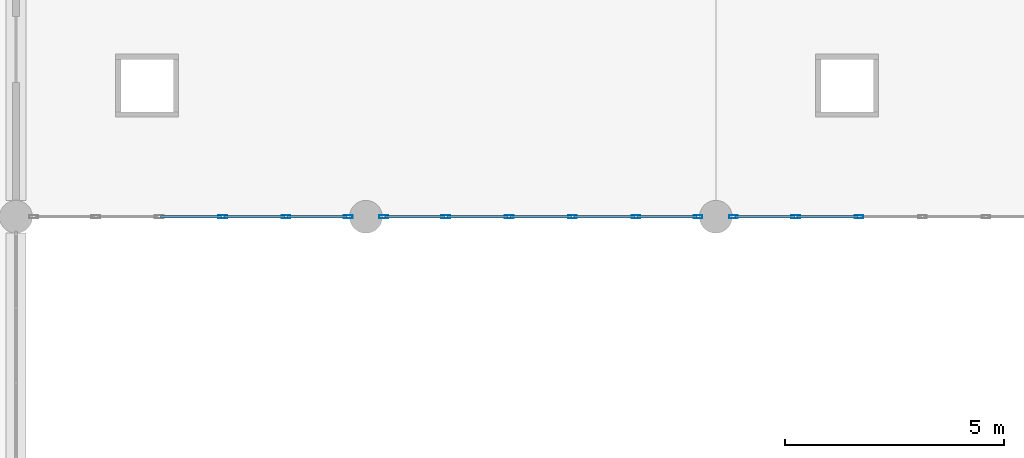
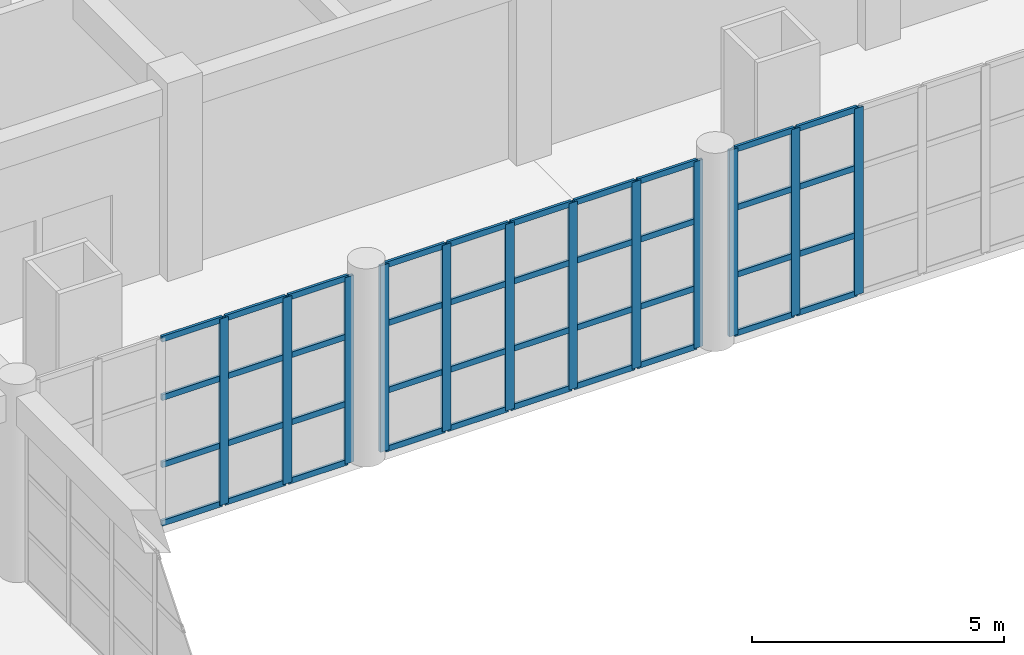
# One storey, part 34 of 101: 52 members, 3 elements without a shape of their own.
"""IFC4 building model written with IfcOpenShell, lengths in metres."""

from ifc_helpers import new_model, si_unit, direction, frame, origin, origin_2d, place, context, subcontext, project, spatial, hollow_rectangle, extrude, material, material_profile, profile_set, type_object, element, aggregate, save


model = new_model("IFC4")

# Units and contexts
model_context = context("Model", 3, precision=1e-05, world=origin(), true_north=direction((0.0, 1.0)))
body_context = subcontext(model_context, "Body", "Model", "MODEL_VIEW")
ifc_project = project(units=[si_unit("LENGTHUNIT", "METRE"), si_unit("AREAUNIT", "SQUARE_METRE"), si_unit("VOLUMEUNIT", "CUBIC_METRE"), si_unit("PLANEANGLEUNIT", "RADIAN"), si_unit("MASSUNIT", "GRAM", prefix="KILO")], contexts=[model_context])

# Site, building, storey
site_placement = place(None, origin())
site = spatial("IfcSite", under=ifc_project, at=site_placement, CompositionType="ELEMENT")
building_placement = place(site_placement, origin())
building = spatial("IfcBuilding", under=site, at=building_placement, Name="Zantavel Square City Hall", CompositionType="ELEMENT")
storey_placement = place(building_placement, frame((0.0, 0.0, 5.39990234375)))
storey = spatial("IfcBuildingStorey", under=building, at=storey_placement, Name="L02", CompositionType="ELEMENT", Elevation=5.39990234375)

# Curtain wall, members
ifc_material = material(Name="Anodised aluminium 6063-T6", Category="aluminium")
curtain_wall_type = type_object("IfcCurtainWallType", Name="Curtain Wall CRT 7250x4520", PredefinedType="USERDEFINED", material=ifc_material)
curtain_wall_1_placement = place(storey_placement, origin())
curtain_wall_1 = element("IfcCurtainWall", 1, at=curtain_wall_1_placement, inside=storey, type_object=curtain_wall_type, Name="L02 Glazed Curtain Wall CW-L02-067", ObjectType="GLAZED CURTAIN WALL", PredefinedType="USERDEFINED")
ifc_material_profile_1 = material_profile(ifc_material, hollow_rectangle(XDim=0.070068359375, YDim=0.199951171875, WallThickness=0.00439453125, at=origin_2d()), Name="ALU 70x200x4.5")
ifc_profile_set_1 = profile_set([ifc_material_profile_1], Name="Anodised aluminium 6063-T6")
member_type_1 = type_object("IfcMemberType", Name="CW Heavy Hall Mullion ALU 70x200x4.5", PredefinedType="MULLION", material=ifc_profile_set_1)
member_1_placement = place(storey_placement, frame((31.594970703125, 68.39990234375, 0.0), z_axis=(0.0, 0.0, 1.0), x_axis=(0.0, -1.0, 0.0)))
member_1 = element("IfcMember", 2, at=member_1_placement, type_object=member_type_1, Name="CW-067 mullion 1", PredefinedType="MULLION", context=body_context, shape_type="SweptSolid", body=[
    extrude(hollow_rectangle(XDim=0.070068359375, YDim=0.199951171875, WallThickness=0.00439453125, at=origin_2d()), origin(), (0.0, 0.0, 1.0), 4.52001953125),
])
member_2_placement = place(storey_placement, frame((30.175048828125, 68.39990234375, 0.0), z_axis=(0.0, 0.0, 1.0), x_axis=(0.0, -1.0, 0.0)))
member_2 = element("IfcMember", 3, at=member_2_placement, type_object=member_type_1, Name="CW-067 mullion 2", PredefinedType="MULLION", context=body_context, shape_type="SweptSolid", body=[
    extrude(hollow_rectangle(XDim=0.070068359375, YDim=0.199951171875, WallThickness=0.00439453125, at=origin_2d()), origin(), (0.0, 0.0, 1.0), 4.52001953125),
])
member_3_placement = place(storey_placement, frame((28.72509765625, 68.39990234375, 0.0), z_axis=(0.0, 0.0, 1.0), x_axis=(0.0, -1.0, 0.0)))
member_3 = element("IfcMember", 4, at=member_3_placement, type_object=member_type_1, Name="CW-067 mullion 3", PredefinedType="MULLION", context=body_context, shape_type="SweptSolid", body=[
    extrude(hollow_rectangle(XDim=0.070068359375, YDim=0.199951171875, WallThickness=0.00439453125, at=origin_2d()), origin(), (0.0, 0.0, 1.0), 4.52001953125),
])
member_4_placement = place(storey_placement, frame((27.27490234375, 68.39990234375, 0.0), z_axis=(0.0, 0.0, 1.0), x_axis=(0.0, -1.0, 0.0)))
member_4 = element("IfcMember", 5, at=member_4_placement, type_object=member_type_1, Name="CW-067 mullion 4", PredefinedType="MULLION", context=body_context, shape_type="SweptSolid", body=[
    extrude(hollow_rectangle(XDim=0.070068359375, YDim=0.199951171875, WallThickness=0.00439453125, at=origin_2d()), origin(), (0.0, 0.0, 1.0), 4.52001953125),
])
member_5_placement = place(storey_placement, frame((25.824951171875, 68.39990234375, 0.0), z_axis=(0.0, 0.0, 1.0), x_axis=(0.0, -1.0, 0.0)))
member_5 = element("IfcMember", 6, at=member_5_placement, type_object=member_type_1, Name="CW-067 mullion 5", PredefinedType="MULLION", context=body_context, shape_type="SweptSolid", body=[
    extrude(hollow_rectangle(XDim=0.070068359375, YDim=0.199951171875, WallThickness=0.00439453125, at=origin_2d()), origin(), (0.0, 0.0, 1.0), 4.52001953125),
])
member_6_placement = place(storey_placement, frame((24.405029296875, 68.39990234375, 0.0), z_axis=(0.0, 0.0, 1.0), x_axis=(0.0, -1.0, 0.0)))
member_6 = element("IfcMember", 7, at=member_6_placement, type_object=member_type_1, Name="CW-067 mullion 6", PredefinedType="MULLION", context=body_context, shape_type="SweptSolid", body=[
    extrude(hollow_rectangle(XDim=0.070068359375, YDim=0.199951171875, WallThickness=0.00439453125, at=origin_2d()), origin(), (0.0, 0.0, 1.0), 4.52001953125),
])

curtain_wall_2_placement = place(storey_placement, origin())
curtain_wall_2 = element("IfcCurtainWall", 8, at=curtain_wall_2_placement, inside=storey, type_object=curtain_wall_type, Name="L02 Glazed Curtain Wall CW-L02-068", ObjectType="GLAZED CURTAIN WALL", PredefinedType="USERDEFINED")
member_7_placement = place(storey_placement, frame((23.594970703125, 68.39990234375, 0.0), z_axis=(0.0, 0.0, 1.0), x_axis=(0.0, -1.0, 0.0)))
member_7 = element("IfcMember", 9, at=member_7_placement, type_object=member_type_1, Name="CW-068 mullion 1", PredefinedType="MULLION", context=body_context, shape_type="SweptSolid", body=[
    extrude(hollow_rectangle(XDim=0.070068359375, YDim=0.199951171875, WallThickness=0.00439453125, at=origin_2d()), origin(), (0.0, 0.0, 1.0), 4.52001953125),
])
member_8_placement = place(storey_placement, frame((22.175048828125, 68.39990234375, 0.0), z_axis=(0.0, 0.0, 1.0), x_axis=(0.0, -1.0, 0.0)))
member_8 = element("IfcMember", 10, at=member_8_placement, type_object=member_type_1, Name="CW-068 mullion 2", PredefinedType="MULLION", context=body_context, shape_type="SweptSolid", body=[
    extrude(hollow_rectangle(XDim=0.070068359375, YDim=0.199951171875, WallThickness=0.00439453125, at=origin_2d()), origin(), (0.0, 0.0, 1.0), 4.52001953125),
])
member_9_placement = place(storey_placement, frame((20.72509765625, 68.39990234375, 0.0), z_axis=(0.0, 0.0, 1.0), x_axis=(0.0, -1.0, 0.0)))
member_9 = element("IfcMember", 11, at=member_9_placement, type_object=member_type_1, Name="CW-068 mullion 3", PredefinedType="MULLION", context=body_context, shape_type="SweptSolid", body=[
    extrude(hollow_rectangle(XDim=0.070068359375, YDim=0.199951171875, WallThickness=0.00439453125, at=origin_2d()), origin(), (0.0, 0.0, 1.0), 4.52001953125),
])

curtain_wall_3_placement = place(storey_placement, origin())
curtain_wall_3 = element("IfcCurtainWall", 12, at=curtain_wall_3_placement, inside=storey, type_object=curtain_wall_type, Name="L02 Glazed Curtain Wall CW-L02-082", ObjectType="GLAZED CURTAIN WALL", PredefinedType="USERDEFINED")
member_10_placement = place(storey_placement, frame((35.27490234375, 68.39990234375, 0.0), z_axis=(0.0, 0.0, 1.0), x_axis=(0.0, -1.0, 0.0)))
member_10 = element("IfcMember", 13, at=member_10_placement, type_object=member_type_1, Name="CW-082 mullion 4", PredefinedType="MULLION", context=body_context, shape_type="SweptSolid", body=[
    extrude(hollow_rectangle(XDim=0.070068359375, YDim=0.199951171875, WallThickness=0.00439453125, at=origin_2d()), origin(), (0.0, 0.0, 1.0), 4.52001953125),
])
member_11_placement = place(storey_placement, frame((33.824951171875, 68.39990234375, 0.0), z_axis=(0.0, 0.0, 1.0), x_axis=(0.0, -1.0, 0.0)))
member_11 = element("IfcMember", 14, at=member_11_placement, type_object=member_type_1, Name="CW-082 mullion 5", PredefinedType="MULLION", context=body_context, shape_type="SweptSolid", body=[
    extrude(hollow_rectangle(XDim=0.070068359375, YDim=0.199951171875, WallThickness=0.00439453125, at=origin_2d()), origin(), (0.0, 0.0, 1.0), 4.52001953125),
])
member_12_placement = place(storey_placement, frame((32.405029296875, 68.39990234375, 0.0), z_axis=(0.0, 0.0, 1.0), x_axis=(0.0, -1.0, 0.0)))
member_12 = element("IfcMember", 15, at=member_12_placement, type_object=member_type_1, Name="CW-082 mullion 6", PredefinedType="MULLION", context=body_context, shape_type="SweptSolid", body=[
    extrude(hollow_rectangle(XDim=0.070068359375, YDim=0.199951171875, WallThickness=0.00439453125, at=origin_2d()), origin(), (0.0, 0.0, 1.0), 4.52001953125),
])

# Member
ifc_material_profile_2 = material_profile(ifc_material, hollow_rectangle(XDim=0.06005859375, YDim=0.139892578125, WallThickness=0.00390625, at=origin_2d()), Name="ALU 60x140x4")
ifc_profile_set_2 = profile_set([ifc_material_profile_2], Name="Anodised aluminium 6063-T6")
member_type_2 = type_object("IfcMemberType", Name="CW Transom ALU 60x140x4", PredefinedType="USERDEFINED", material=ifc_profile_set_2)
member_13_placement = place(storey_placement, frame((31.56494140625, 68.39990234375, 0.030029296875), z_axis=(-1.0, 0.0, 0.0), x_axis=(0.0, -1.0, 0.0)))
member_13 = element("IfcMember", 16, at=member_13_placement, type_object=member_type_2, Name="CW-067 transom 1.1", ObjectType="TRANSOM", PredefinedType="USERDEFINED", context=body_context, shape_type="SweptSolid", body=[
    extrude(hollow_rectangle(XDim=0.06005859375, YDim=0.139892578125, WallThickness=0.00390625, at=origin_2d()), origin(), (0.0, 0.0, 1.0), 1.35986328125),
])

member_14_placement = place(storey_placement, frame((31.56494140625, 68.39990234375, 1.446044921875), z_axis=(-1.0, 0.0, 0.0), x_axis=(0.0, -1.0, 0.0)))
member_14 = element("IfcMember", 17, at=member_14_placement, type_object=member_type_2, Name="CW-067 transom 1.2", ObjectType="TRANSOM", PredefinedType="USERDEFINED", context=body_context, shape_type="SweptSolid", body=[
    extrude(hollow_rectangle(XDim=0.06005859375, YDim=0.139892578125, WallThickness=0.00390625, at=origin_2d()), origin(), (0.0, 0.0, 1.0), 1.35986328125),
])

member_15_placement = place(storey_placement, frame((31.56494140625, 68.39990234375, 3.07421875), z_axis=(-1.0, 0.0, 0.0), x_axis=(0.0, -1.0, 0.0)))
member_15 = element("IfcMember", 18, at=member_15_placement, type_object=member_type_2, Name="CW-067 transom 1.3", ObjectType="TRANSOM", PredefinedType="USERDEFINED", context=body_context, shape_type="SweptSolid", body=[
    extrude(hollow_rectangle(XDim=0.06005859375, YDim=0.139892578125, WallThickness=0.00390625, at=origin_2d()), origin(), (0.0, 0.0, 1.0), 1.35986328125),
])

member_16_placement = place(storey_placement, frame((31.56494140625, 68.39990234375, 4.489990234375), z_axis=(-1.0, 0.0, 0.0), x_axis=(0.0, -1.0, 0.0)))
member_16 = element("IfcMember", 19, at=member_16_placement, type_object=member_type_2, Name="CW-067 transom 1.4", ObjectType="TRANSOM", PredefinedType="USERDEFINED", context=body_context, shape_type="SweptSolid", body=[
    extrude(hollow_rectangle(XDim=0.06005859375, YDim=0.139892578125, WallThickness=0.00390625, at=origin_2d()), origin(), (0.0, 0.0, 1.0), 1.35986328125),
])

member_17_placement = place(storey_placement, frame((30.14501953125, 68.39990234375, 0.030029296875), z_axis=(-1.0, 0.0, 0.0), x_axis=(0.0, -1.0, 0.0)))
member_17 = element("IfcMember", 20, at=member_17_placement, type_object=member_type_2, Name="CW-067 transom 2.1", ObjectType="TRANSOM", PredefinedType="USERDEFINED", context=body_context, shape_type="SweptSolid", body=[
    extrude(hollow_rectangle(XDim=0.06005859375, YDim=0.139892578125, WallThickness=0.00390625, at=origin_2d()), origin(), (0.0, 0.0, 1.0), 1.39013671875),
])

member_18_placement = place(storey_placement, frame((30.14501953125, 68.39990234375, 1.446044921875), z_axis=(-1.0, 0.0, 0.0), x_axis=(0.0, -1.0, 0.0)))
member_18 = element("IfcMember", 21, at=member_18_placement, type_object=member_type_2, Name="CW-067 transom 2.2", ObjectType="TRANSOM", PredefinedType="USERDEFINED", context=body_context, shape_type="SweptSolid", body=[
    extrude(hollow_rectangle(XDim=0.06005859375, YDim=0.139892578125, WallThickness=0.00390625, at=origin_2d()), origin(), (0.0, 0.0, 1.0), 1.39013671875),
])

member_19_placement = place(storey_placement, frame((30.14501953125, 68.39990234375, 3.07421875), z_axis=(-1.0, 0.0, 0.0), x_axis=(0.0, -1.0, 0.0)))
member_19 = element("IfcMember", 22, at=member_19_placement, type_object=member_type_2, Name="CW-067 transom 2.3", ObjectType="TRANSOM", PredefinedType="USERDEFINED", context=body_context, shape_type="SweptSolid", body=[
    extrude(hollow_rectangle(XDim=0.06005859375, YDim=0.139892578125, WallThickness=0.00390625, at=origin_2d()), origin(), (0.0, 0.0, 1.0), 1.39013671875),
])

member_20_placement = place(storey_placement, frame((30.14501953125, 68.39990234375, 4.489990234375), z_axis=(-1.0, 0.0, 0.0), x_axis=(0.0, -1.0, 0.0)))
member_20 = element("IfcMember", 23, at=member_20_placement, type_object=member_type_2, Name="CW-067 transom 2.4", ObjectType="TRANSOM", PredefinedType="USERDEFINED", context=body_context, shape_type="SweptSolid", body=[
    extrude(hollow_rectangle(XDim=0.06005859375, YDim=0.139892578125, WallThickness=0.00390625, at=origin_2d()), origin(), (0.0, 0.0, 1.0), 1.39013671875),
])

member_21_placement = place(storey_placement, frame((28.695068359375, 68.39990234375, 0.030029296875), z_axis=(-1.0, 0.0, 0.0), x_axis=(0.0, -1.0, 0.0)))
member_21 = element("IfcMember", 24, at=member_21_placement, type_object=member_type_2, Name="CW-067 transom 3.1", ObjectType="TRANSOM", PredefinedType="USERDEFINED", context=body_context, shape_type="SweptSolid", body=[
    extrude(hollow_rectangle(XDim=0.06005859375, YDim=0.139892578125, WallThickness=0.00390625, at=origin_2d()), origin(), (0.0, 0.0, 1.0), 1.39013671875),
])

member_22_placement = place(storey_placement, frame((28.695068359375, 68.39990234375, 1.446044921875), z_axis=(-1.0, 0.0, 0.0), x_axis=(0.0, -1.0, 0.0)))
member_22 = element("IfcMember", 25, at=member_22_placement, type_object=member_type_2, Name="CW-067 transom 3.2", ObjectType="TRANSOM", PredefinedType="USERDEFINED", context=body_context, shape_type="SweptSolid", body=[
    extrude(hollow_rectangle(XDim=0.06005859375, YDim=0.139892578125, WallThickness=0.00390625, at=origin_2d()), origin(), (0.0, 0.0, 1.0), 1.39013671875),
])

member_23_placement = place(storey_placement, frame((28.695068359375, 68.39990234375, 3.07421875), z_axis=(-1.0, 0.0, 0.0), x_axis=(0.0, -1.0, 0.0)))
member_23 = element("IfcMember", 26, at=member_23_placement, type_object=member_type_2, Name="CW-067 transom 3.3", ObjectType="TRANSOM", PredefinedType="USERDEFINED", context=body_context, shape_type="SweptSolid", body=[
    extrude(hollow_rectangle(XDim=0.06005859375, YDim=0.139892578125, WallThickness=0.00390625, at=origin_2d()), origin(), (0.0, 0.0, 1.0), 1.39013671875),
])

member_24_placement = place(storey_placement, frame((28.695068359375, 68.39990234375, 4.489990234375), z_axis=(-1.0, 0.0, 0.0), x_axis=(0.0, -1.0, 0.0)))
member_24 = element("IfcMember", 27, at=member_24_placement, type_object=member_type_2, Name="CW-067 transom 3.4", ObjectType="TRANSOM", PredefinedType="USERDEFINED", context=body_context, shape_type="SweptSolid", body=[
    extrude(hollow_rectangle(XDim=0.06005859375, YDim=0.139892578125, WallThickness=0.00390625, at=origin_2d()), origin(), (0.0, 0.0, 1.0), 1.39013671875),
])

member_25_placement = place(storey_placement, frame((27.2451171875, 68.39990234375, 0.030029296875), z_axis=(-1.0, 0.0, 0.0), x_axis=(0.0, -1.0, 0.0)))
member_25 = element("IfcMember", 28, at=member_25_placement, type_object=member_type_2, Name="CW-067 transom 4.1", ObjectType="TRANSOM", PredefinedType="USERDEFINED", context=body_context, shape_type="SweptSolid", body=[
    extrude(hollow_rectangle(XDim=0.06005859375, YDim=0.139892578125, WallThickness=0.00390625, at=origin_2d()), origin(), (0.0, 0.0, 1.0), 1.39013671875),
])

member_26_placement = place(storey_placement, frame((27.2451171875, 68.39990234375, 1.446044921875), z_axis=(-1.0, 0.0, 0.0), x_axis=(0.0, -1.0, 0.0)))
member_26 = element("IfcMember", 29, at=member_26_placement, type_object=member_type_2, Name="CW-067 transom 4.2", ObjectType="TRANSOM", PredefinedType="USERDEFINED", context=body_context, shape_type="SweptSolid", body=[
    extrude(hollow_rectangle(XDim=0.06005859375, YDim=0.139892578125, WallThickness=0.00390625, at=origin_2d()), origin(), (0.0, 0.0, 1.0), 1.39013671875),
])

member_27_placement = place(storey_placement, frame((27.2451171875, 68.39990234375, 3.07421875), z_axis=(-1.0, 0.0, 0.0), x_axis=(0.0, -1.0, 0.0)))
member_27 = element("IfcMember", 30, at=member_27_placement, type_object=member_type_2, Name="CW-067 transom 4.3", ObjectType="TRANSOM", PredefinedType="USERDEFINED", context=body_context, shape_type="SweptSolid", body=[
    extrude(hollow_rectangle(XDim=0.06005859375, YDim=0.139892578125, WallThickness=0.00390625, at=origin_2d()), origin(), (0.0, 0.0, 1.0), 1.39013671875),
])

member_28_placement = place(storey_placement, frame((27.2451171875, 68.39990234375, 4.489990234375), z_axis=(-1.0, 0.0, 0.0), x_axis=(0.0, -1.0, 0.0)))
member_28 = element("IfcMember", 31, at=member_28_placement, type_object=member_type_2, Name="CW-067 transom 4.4", ObjectType="TRANSOM", PredefinedType="USERDEFINED", context=body_context, shape_type="SweptSolid", body=[
    extrude(hollow_rectangle(XDim=0.06005859375, YDim=0.139892578125, WallThickness=0.00390625, at=origin_2d()), origin(), (0.0, 0.0, 1.0), 1.39013671875),
])

member_29_placement = place(storey_placement, frame((25.794921875, 68.39990234375, 0.030029296875), z_axis=(-1.0, 0.0, 0.0), x_axis=(0.0, -1.0, 0.0)))
member_29 = element("IfcMember", 32, at=member_29_placement, type_object=member_type_2, Name="CW-067 transom 5.1", ObjectType="TRANSOM", PredefinedType="USERDEFINED", context=body_context, shape_type="SweptSolid", body=[
    extrude(hollow_rectangle(XDim=0.06005859375, YDim=0.139892578125, WallThickness=0.00390625, at=origin_2d()), origin(), (0.0, 0.0, 1.0), 1.35986328125),
])

member_30_placement = place(storey_placement, frame((25.794921875, 68.39990234375, 1.446044921875), z_axis=(-1.0, 0.0, 0.0), x_axis=(0.0, -1.0, 0.0)))
member_30 = element("IfcMember", 33, at=member_30_placement, type_object=member_type_2, Name="CW-067 transom 5.2", ObjectType="TRANSOM", PredefinedType="USERDEFINED", context=body_context, shape_type="SweptSolid", body=[
    extrude(hollow_rectangle(XDim=0.06005859375, YDim=0.139892578125, WallThickness=0.00390625, at=origin_2d()), origin(), (0.0, 0.0, 1.0), 1.35986328125),
])

member_31_placement = place(storey_placement, frame((25.794921875, 68.39990234375, 3.07421875), z_axis=(-1.0, 0.0, 0.0), x_axis=(0.0, -1.0, 0.0)))
member_31 = element("IfcMember", 34, at=member_31_placement, type_object=member_type_2, Name="CW-067 transom 5.3", ObjectType="TRANSOM", PredefinedType="USERDEFINED", context=body_context, shape_type="SweptSolid", body=[
    extrude(hollow_rectangle(XDim=0.06005859375, YDim=0.139892578125, WallThickness=0.00390625, at=origin_2d()), origin(), (0.0, 0.0, 1.0), 1.35986328125),
])

member_32_placement = place(storey_placement, frame((25.794921875, 68.39990234375, 4.489990234375), z_axis=(-1.0, 0.0, 0.0), x_axis=(0.0, -1.0, 0.0)))
member_32 = element("IfcMember", 35, at=member_32_placement, type_object=member_type_2, Name="CW-067 transom 5.4", ObjectType="TRANSOM", PredefinedType="USERDEFINED", context=body_context, shape_type="SweptSolid", body=[
    extrude(hollow_rectangle(XDim=0.06005859375, YDim=0.139892578125, WallThickness=0.00390625, at=origin_2d()), origin(), (0.0, 0.0, 1.0), 1.35986328125),
])

aggregate(curtain_wall_1, [member_1, member_2, member_3, member_4, member_5, member_6, member_13, member_14, member_15, member_16, member_17, member_18, member_19, member_20, member_21, member_22, member_23, member_24, member_25, member_26, member_27, member_28, member_29, member_30, member_31, member_32])

member_33_placement = place(storey_placement, frame((23.56494140625, 68.39990234375, 0.030029296875), z_axis=(-1.0, 0.0, 0.0), x_axis=(0.0, -1.0, 0.0)))
member_33 = element("IfcMember", 36, at=member_33_placement, type_object=member_type_2, Name="CW-068 transom 1.1", ObjectType="TRANSOM", PredefinedType="USERDEFINED", context=body_context, shape_type="SweptSolid", body=[
    extrude(hollow_rectangle(XDim=0.06005859375, YDim=0.139892578125, WallThickness=0.00390625, at=origin_2d()), origin(), (0.0, 0.0, 1.0), 1.35986328125),
])

member_34_placement = place(storey_placement, frame((23.56494140625, 68.39990234375, 1.446044921875), z_axis=(-1.0, 0.0, 0.0), x_axis=(0.0, -1.0, 0.0)))
member_34 = element("IfcMember", 37, at=member_34_placement, type_object=member_type_2, Name="CW-068 transom 1.2", ObjectType="TRANSOM", PredefinedType="USERDEFINED", context=body_context, shape_type="SweptSolid", body=[
    extrude(hollow_rectangle(XDim=0.06005859375, YDim=0.139892578125, WallThickness=0.00390625, at=origin_2d()), origin(), (0.0, 0.0, 1.0), 1.35986328125),
])

member_35_placement = place(storey_placement, frame((23.56494140625, 68.39990234375, 3.07421875), z_axis=(-1.0, 0.0, 0.0), x_axis=(0.0, -1.0, 0.0)))
member_35 = element("IfcMember", 38, at=member_35_placement, type_object=member_type_2, Name="CW-068 transom 1.3", ObjectType="TRANSOM", PredefinedType="USERDEFINED", context=body_context, shape_type="SweptSolid", body=[
    extrude(hollow_rectangle(XDim=0.06005859375, YDim=0.139892578125, WallThickness=0.00390625, at=origin_2d()), origin(), (0.0, 0.0, 1.0), 1.35986328125),
])

member_36_placement = place(storey_placement, frame((23.56494140625, 68.39990234375, 4.489990234375), z_axis=(-1.0, 0.0, 0.0), x_axis=(0.0, -1.0, 0.0)))
member_36 = element("IfcMember", 39, at=member_36_placement, type_object=member_type_2, Name="CW-068 transom 1.4", ObjectType="TRANSOM", PredefinedType="USERDEFINED", context=body_context, shape_type="SweptSolid", body=[
    extrude(hollow_rectangle(XDim=0.06005859375, YDim=0.139892578125, WallThickness=0.00390625, at=origin_2d()), origin(), (0.0, 0.0, 1.0), 1.35986328125),
])

member_37_placement = place(storey_placement, frame((22.14501953125, 68.39990234375, 0.030029296875), z_axis=(-1.0, 0.0, 0.0), x_axis=(0.0, -1.0, 0.0)))
member_37 = element("IfcMember", 40, at=member_37_placement, type_object=member_type_2, Name="CW-068 transom 2.1", ObjectType="TRANSOM", PredefinedType="USERDEFINED", context=body_context, shape_type="SweptSolid", body=[
    extrude(hollow_rectangle(XDim=0.06005859375, YDim=0.139892578125, WallThickness=0.00390625, at=origin_2d()), origin(), (0.0, 0.0, 1.0), 1.39013671875),
])

member_38_placement = place(storey_placement, frame((22.14501953125, 68.39990234375, 1.446044921875), z_axis=(-1.0, 0.0, 0.0), x_axis=(0.0, -1.0, 0.0)))
member_38 = element("IfcMember", 41, at=member_38_placement, type_object=member_type_2, Name="CW-068 transom 2.2", ObjectType="TRANSOM", PredefinedType="USERDEFINED", context=body_context, shape_type="SweptSolid", body=[
    extrude(hollow_rectangle(XDim=0.06005859375, YDim=0.139892578125, WallThickness=0.00390625, at=origin_2d()), origin(), (0.0, 0.0, 1.0), 1.39013671875),
])

member_39_placement = place(storey_placement, frame((22.14501953125, 68.39990234375, 3.07421875), z_axis=(-1.0, 0.0, 0.0), x_axis=(0.0, -1.0, 0.0)))
member_39 = element("IfcMember", 42, at=member_39_placement, type_object=member_type_2, Name="CW-068 transom 2.3", ObjectType="TRANSOM", PredefinedType="USERDEFINED", context=body_context, shape_type="SweptSolid", body=[
    extrude(hollow_rectangle(XDim=0.06005859375, YDim=0.139892578125, WallThickness=0.00390625, at=origin_2d()), origin(), (0.0, 0.0, 1.0), 1.39013671875),
])

member_40_placement = place(storey_placement, frame((22.14501953125, 68.39990234375, 4.489990234375), z_axis=(-1.0, 0.0, 0.0), x_axis=(0.0, -1.0, 0.0)))
member_40 = element("IfcMember", 43, at=member_40_placement, type_object=member_type_2, Name="CW-068 transom 2.4", ObjectType="TRANSOM", PredefinedType="USERDEFINED", context=body_context, shape_type="SweptSolid", body=[
    extrude(hollow_rectangle(XDim=0.06005859375, YDim=0.139892578125, WallThickness=0.00390625, at=origin_2d()), origin(), (0.0, 0.0, 1.0), 1.39013671875),
])

member_41_placement = place(storey_placement, frame((20.695068359375, 68.39990234375, 0.030029296875), z_axis=(-1.0, 0.0, 0.0), x_axis=(0.0, -1.0, 0.0)))
member_41 = element("IfcMember", 44, at=member_41_placement, type_object=member_type_2, Name="CW-068 transom 3.1", ObjectType="TRANSOM", PredefinedType="USERDEFINED", context=body_context, shape_type="SweptSolid", body=[
    extrude(hollow_rectangle(XDim=0.06005859375, YDim=0.139892578125, WallThickness=0.00390625, at=origin_2d()), origin(), (0.0, 0.0, 1.0), 1.39013671875),
])

member_42_placement = place(storey_placement, frame((20.695068359375, 68.39990234375, 1.446044921875), z_axis=(-1.0, 0.0, 0.0), x_axis=(0.0, -1.0, 0.0)))
member_42 = element("IfcMember", 45, at=member_42_placement, type_object=member_type_2, Name="CW-068 transom 3.2", ObjectType="TRANSOM", PredefinedType="USERDEFINED", context=body_context, shape_type="SweptSolid", body=[
    extrude(hollow_rectangle(XDim=0.06005859375, YDim=0.139892578125, WallThickness=0.00390625, at=origin_2d()), origin(), (0.0, 0.0, 1.0), 1.39013671875),
])

member_43_placement = place(storey_placement, frame((20.695068359375, 68.39990234375, 3.07421875), z_axis=(-1.0, 0.0, 0.0), x_axis=(0.0, -1.0, 0.0)))
member_43 = element("IfcMember", 46, at=member_43_placement, type_object=member_type_2, Name="CW-068 transom 3.3", ObjectType="TRANSOM", PredefinedType="USERDEFINED", context=body_context, shape_type="SweptSolid", body=[
    extrude(hollow_rectangle(XDim=0.06005859375, YDim=0.139892578125, WallThickness=0.00390625, at=origin_2d()), origin(), (0.0, 0.0, 1.0), 1.39013671875),
])

member_44_placement = place(storey_placement, frame((20.695068359375, 68.39990234375, 4.489990234375), z_axis=(-1.0, 0.0, 0.0), x_axis=(0.0, -1.0, 0.0)))
member_44 = element("IfcMember", 47, at=member_44_placement, type_object=member_type_2, Name="CW-068 transom 3.4", ObjectType="TRANSOM", PredefinedType="USERDEFINED", context=body_context, shape_type="SweptSolid", body=[
    extrude(hollow_rectangle(XDim=0.06005859375, YDim=0.139892578125, WallThickness=0.00390625, at=origin_2d()), origin(), (0.0, 0.0, 1.0), 1.39013671875),
])

aggregate(curtain_wall_2, [member_7, member_8, member_9, member_33, member_34, member_35, member_36, member_37, member_38, member_39, member_40, member_41, member_42, member_43, member_44])

member_45_placement = place(storey_placement, frame((35.2451171875, 68.39990234375, 0.030029296875), z_axis=(-1.0, 0.0, 0.0), x_axis=(0.0, -1.0, 0.0)))
member_45 = element("IfcMember", 48, at=member_45_placement, type_object=member_type_2, Name="CW-082 transom 4.1", ObjectType="TRANSOM", PredefinedType="USERDEFINED", context=body_context, shape_type="SweptSolid", body=[
    extrude(hollow_rectangle(XDim=0.06005859375, YDim=0.139892578125, WallThickness=0.00390625, at=origin_2d()), origin(), (0.0, 0.0, 1.0), 1.39013671875),
])

member_46_placement = place(storey_placement, frame((35.2451171875, 68.39990234375, 1.446044921875), z_axis=(-1.0, 0.0, 0.0), x_axis=(0.0, -1.0, 0.0)))
member_46 = element("IfcMember", 49, at=member_46_placement, type_object=member_type_2, Name="CW-082 transom 4.2", ObjectType="TRANSOM", PredefinedType="USERDEFINED", context=body_context, shape_type="SweptSolid", body=[
    extrude(hollow_rectangle(XDim=0.06005859375, YDim=0.139892578125, WallThickness=0.00390625, at=origin_2d()), origin(), (0.0, 0.0, 1.0), 1.39013671875),
])

member_47_placement = place(storey_placement, frame((35.2451171875, 68.39990234375, 3.07421875), z_axis=(-1.0, 0.0, 0.0), x_axis=(0.0, -1.0, 0.0)))
member_47 = element("IfcMember", 50, at=member_47_placement, type_object=member_type_2, Name="CW-082 transom 4.3", ObjectType="TRANSOM", PredefinedType="USERDEFINED", context=body_context, shape_type="SweptSolid", body=[
    extrude(hollow_rectangle(XDim=0.06005859375, YDim=0.139892578125, WallThickness=0.00390625, at=origin_2d()), origin(), (0.0, 0.0, 1.0), 1.39013671875),
])

member_48_placement = place(storey_placement, frame((35.2451171875, 68.39990234375, 4.489990234375), z_axis=(-1.0, 0.0, 0.0), x_axis=(0.0, -1.0, 0.0)))
member_48 = element("IfcMember", 51, at=member_48_placement, type_object=member_type_2, Name="CW-082 transom 4.4", ObjectType="TRANSOM", PredefinedType="USERDEFINED", context=body_context, shape_type="SweptSolid", body=[
    extrude(hollow_rectangle(XDim=0.06005859375, YDim=0.139892578125, WallThickness=0.00390625, at=origin_2d()), origin(), (0.0, 0.0, 1.0), 1.39013671875),
])

member_49_placement = place(storey_placement, frame((33.794921875, 68.39990234375, 0.030029296875), z_axis=(-1.0, 0.0, 0.0), x_axis=(0.0, -1.0, 0.0)))
member_49 = element("IfcMember", 52, at=member_49_placement, type_object=member_type_2, Name="CW-082 transom 5.1", ObjectType="TRANSOM", PredefinedType="USERDEFINED", context=body_context, shape_type="SweptSolid", body=[
    extrude(hollow_rectangle(XDim=0.06005859375, YDim=0.139892578125, WallThickness=0.00390625, at=origin_2d()), origin(), (0.0, 0.0, 1.0), 1.35986328125),
])

member_50_placement = place(storey_placement, frame((33.794921875, 68.39990234375, 1.446044921875), z_axis=(-1.0, 0.0, 0.0), x_axis=(0.0, -1.0, 0.0)))
member_50 = element("IfcMember", 53, at=member_50_placement, type_object=member_type_2, Name="CW-082 transom 5.2", ObjectType="TRANSOM", PredefinedType="USERDEFINED", context=body_context, shape_type="SweptSolid", body=[
    extrude(hollow_rectangle(XDim=0.06005859375, YDim=0.139892578125, WallThickness=0.00390625, at=origin_2d()), origin(), (0.0, 0.0, 1.0), 1.35986328125),
])

member_51_placement = place(storey_placement, frame((33.794921875, 68.39990234375, 3.07421875), z_axis=(-1.0, 0.0, 0.0), x_axis=(0.0, -1.0, 0.0)))
member_51 = element("IfcMember", 54, at=member_51_placement, type_object=member_type_2, Name="CW-082 transom 5.3", ObjectType="TRANSOM", PredefinedType="USERDEFINED", context=body_context, shape_type="SweptSolid", body=[
    extrude(hollow_rectangle(XDim=0.06005859375, YDim=0.139892578125, WallThickness=0.00390625, at=origin_2d()), origin(), (0.0, 0.0, 1.0), 1.35986328125),
])

member_52_placement = place(storey_placement, frame((33.794921875, 68.39990234375, 4.489990234375), z_axis=(-1.0, 0.0, 0.0), x_axis=(0.0, -1.0, 0.0)))
member_52 = element("IfcMember", 55, at=member_52_placement, type_object=member_type_2, Name="CW-082 transom 5.4", ObjectType="TRANSOM", PredefinedType="USERDEFINED", context=body_context, shape_type="SweptSolid", body=[
    extrude(hollow_rectangle(XDim=0.06005859375, YDim=0.139892578125, WallThickness=0.00390625, at=origin_2d()), origin(), (0.0, 0.0, 1.0), 1.35986328125),
])

aggregate(curtain_wall_3, [member_10, member_11, member_12, member_45, member_46, member_47, member_48, member_49, member_50, member_51, member_52])

save(model, "model.ifc")
